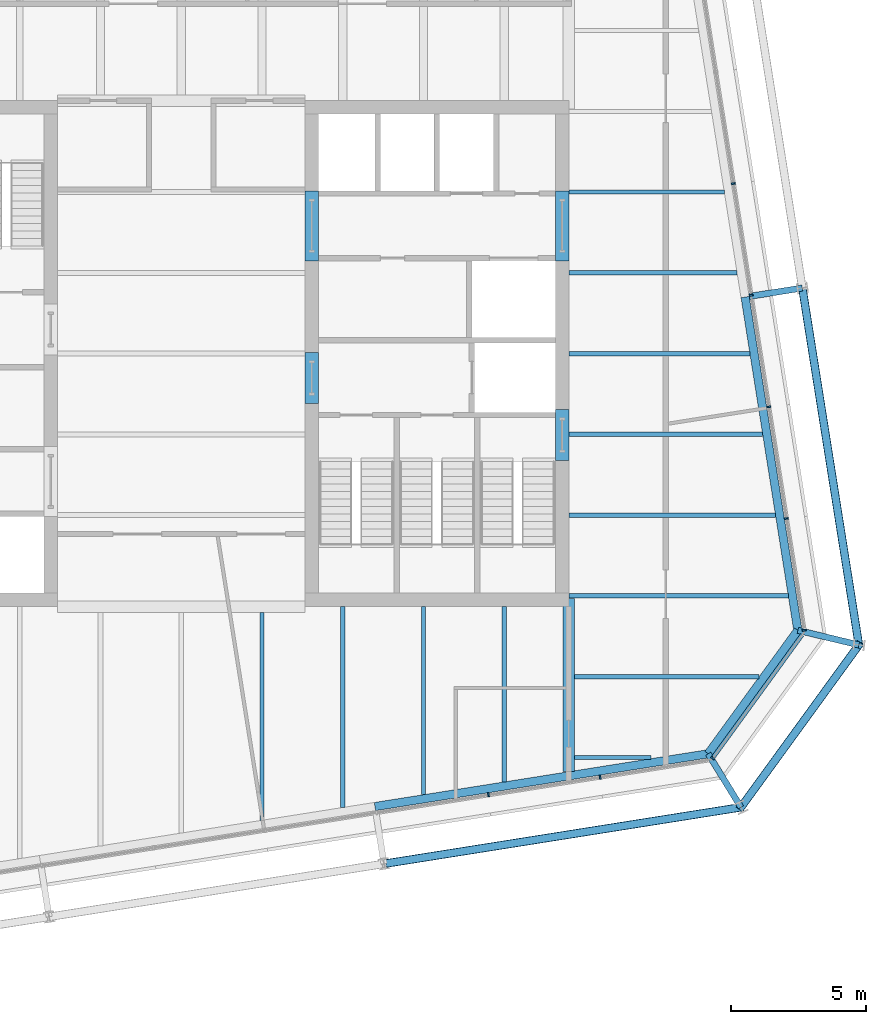
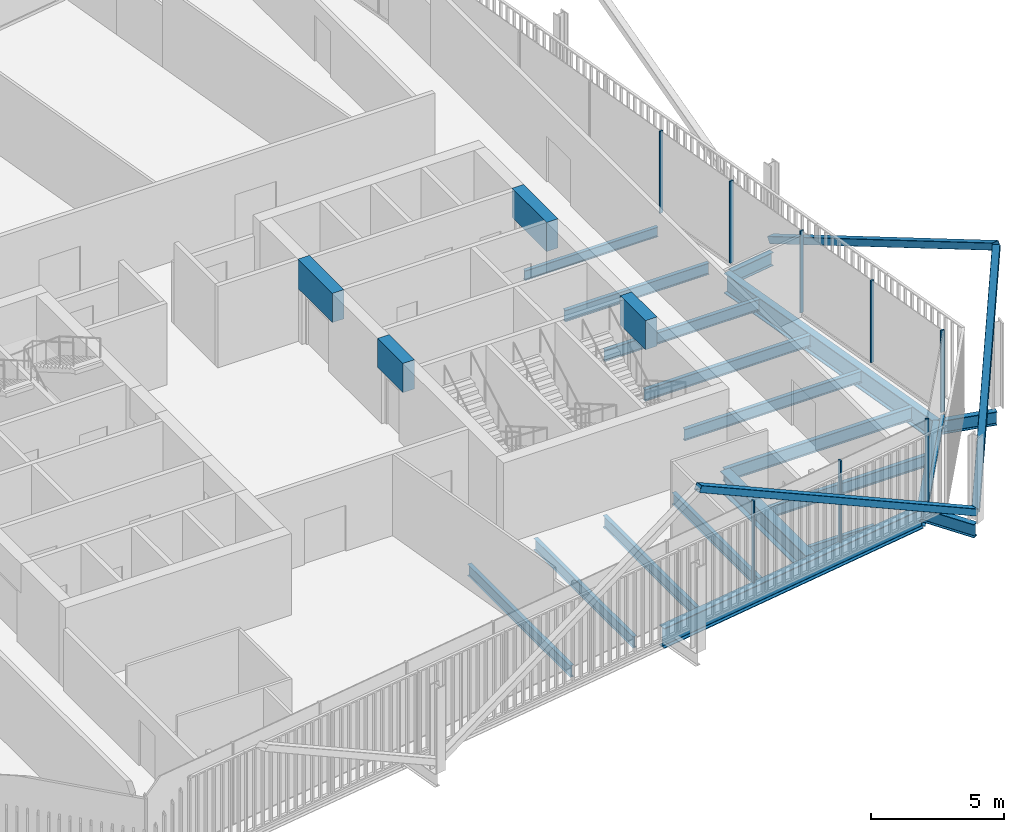
# One storey, part 9 of 21: 23 beams, 12 members, 3 elements without a shape of their own.
"""IFC4 building model written with IfcOpenShell, lengths in metres."""

from ifc_helpers import new_model, si_unit, direction, frame, origin, origin_2d, place, context, subcontext, project, spatial, rectangle, hollow_rectangle, i_section, extrude, material, layer, layer_set, material_profile, profile_set, type_object, element, aggregate, save


model = new_model("IFC4")

# Units and contexts
model_context = context("Model", 3, precision=1e-05, world=origin(), true_north=direction((0.0, 1.0)))
body_context = subcontext(model_context, "Body", "Model", "MODEL_VIEW")
ifc_project = project(units=[si_unit("LENGTHUNIT", "METRE"), si_unit("AREAUNIT", "SQUARE_METRE"), si_unit("VOLUMEUNIT", "CUBIC_METRE"), si_unit("PLANEANGLEUNIT", "RADIAN"), si_unit("MASSUNIT", "GRAM", prefix="KILO")], contexts=[model_context])

# Site, building, storey
site_placement = place(None, origin())
site = spatial("IfcSite", under=ifc_project, at=site_placement, CompositionType="ELEMENT")
building_placement = place(site_placement, origin())
building = spatial("IfcBuilding", under=site, at=building_placement, Name="Millrace Tower", CompositionType="ELEMENT")
storey_placement = place(building_placement, frame((0.0, 0.0, 220.300048828125)))
storey = spatial("IfcBuildingStorey", under=building, at=storey_placement, Name="L50", CompositionType="ELEMENT", Elevation=220.300048828125)

# Curtain wall, members
ifc_material_1 = material(Name="Aluminium and glass", Category="aluminium")
ifc_layer = layer(ifc_material_1, 0.14990234375)
ifc_layer_set = layer_set([ifc_layer], Name="Aluminium and glass")
curtain_wall_type = type_object("IfcCurtainWallType", Name="CW-1 office vision curtain wall", PredefinedType="NOTDEFINED", material=ifc_layer_set)
placement = place(storey_placement, origin())
curtain_wall_1 = element("IfcCurtainWall", 1, at=placement, inside=storey, type_object=curtain_wall_type, Name="Curtain wall D-F02 L50", PredefinedType="NOTDEFINED")
ifc_material_2 = material(Name="Aluminium", Category="aluminium")
ifc_material_profile_1 = material_profile(ifc_material_2, rectangle(XDim=0.06494140625, YDim=0.14990234375, at=origin_2d()))
ifc_profile_set_1 = profile_set([ifc_material_profile_1], Name="Aluminium")
member_type_1 = type_object("IfcMemberType", Name="CW-1 office vision curtain wall mullion", PredefinedType="MULLION", material=ifc_profile_set_1)
member_1_placement = place(storey_placement, frame((11.41259765625, -16.393310546875, 0.139892578125), z_axis=(0.0, 0.0, 1.0), x_axis=(0.987688339511, 0.156434471884, 0.0)))
member_1 = element("IfcMember", 2, at=member_1_placement, type_object=member_type_1, Name="CW1 mullion D-F02.8", PredefinedType="MULLION", context=body_context, shape_type="SweptSolid", body=[
    extrude(rectangle(XDim=0.06494140625, YDim=0.14990234375, at=origin_2d()), origin(), (0.0, 0.0, 1.0), 3.760009765625),
])
member_2_placement = place(storey_placement, frame((15.560791015625, -15.736328125, 0.139892578125), z_axis=(0.0, 0.0, 1.0), x_axis=(0.987688339511, 0.156434471884, 0.0)))
member_2 = element("IfcMember", 3, at=member_2_placement, type_object=member_type_1, Name="CW1 mullion D-F02.9", PredefinedType="MULLION", context=body_context, shape_type="SweptSolid", body=[
    extrude(rectangle(XDim=0.06494140625, YDim=0.14990234375, at=origin_2d()), origin(), (0.0, 0.0, 1.0), 3.760009765625),
])
aggregate(curtain_wall_1, [member_1, member_2])

# Curtain wall, member
curtain_wall_2 = element("IfcCurtainWall", 4, at=placement, inside=storey, type_object=curtain_wall_type, Name="Curtain wall D-F03 L50", PredefinedType="NOTDEFINED")
member_3_placement = place(storey_placement, frame((19.7451171875, -15.028076171875, 0.139892578125), z_axis=(0.0, 0.0, 1.0), x_axis=(0.587785305991, 0.809016955361, 0.0)))
member_3 = element("IfcMember", 5, at=member_3_placement, type_object=member_type_1, Name="CW1 mullion D-F03.1", PredefinedType="MULLION", context=body_context, shape_type="SweptSolid", body=[
    extrude(rectangle(XDim=0.06494140625, YDim=0.14990234375, at=origin_2d()), origin(), (0.0, 0.0, 1.0), 3.760009765625),
])

# Curtain wall, members
curtain_wall_3 = element("IfcCurtainWall", 6, at=placement, inside=storey, type_object=curtain_wall_type, Name="Curtain wall D-F04 L50", PredefinedType="NOTDEFINED")
member_4_placement = place(storey_placement, frame((23.142333984375, -10.275390625, 0.139892578125), z_axis=(0.0, 0.0, 1.0), x_axis=(-0.156434471884, 0.987688339511, 0.0)))
member_4 = element("IfcMember", 7, at=member_4_placement, type_object=member_type_1, Name="CW1 mullion D-F04.1", PredefinedType="MULLION", context=body_context, shape_type="SweptSolid", body=[
    extrude(rectangle(XDim=0.06494140625, YDim=0.14990234375, at=origin_2d()), origin(), (0.0, 0.0, 1.0), 3.760009765625),
])
member_5_placement = place(storey_placement, frame((22.4853515625, -6.127197265625, 0.139892578125), z_axis=(0.0, 0.0, 1.0), x_axis=(-0.156434471884, 0.987688339511, 0.0)))
member_5 = element("IfcMember", 8, at=member_5_placement, type_object=member_type_1, Name="CW1 mullion D-F04.2", PredefinedType="MULLION", context=body_context, shape_type="SweptSolid", body=[
    extrude(rectangle(XDim=0.06494140625, YDim=0.14990234375, at=origin_2d()), origin(), (0.0, 0.0, 1.0), 3.760009765625),
])
member_6_placement = place(storey_placement, frame((21.828369140625, -1.97900390625, 0.139892578125), z_axis=(0.0, 0.0, 1.0), x_axis=(-0.156434471884, 0.987688339511, 0.0)))
member_6 = element("IfcMember", 9, at=member_6_placement, type_object=member_type_1, Name="CW1 mullion D-F04.3", PredefinedType="MULLION", context=body_context, shape_type="SweptSolid", body=[
    extrude(rectangle(XDim=0.06494140625, YDim=0.14990234375, at=origin_2d()), origin(), (0.0, 0.0, 1.0), 3.760009765625),
])
member_7_placement = place(storey_placement, frame((21.17138671875, 2.16943359375, 0.139892578125), z_axis=(0.0, 0.0, 1.0), x_axis=(-0.156434471884, 0.987688339511, 0.0)))
member_7 = element("IfcMember", 10, at=member_7_placement, type_object=member_type_1, Name="CW1 mullion D-F04.4", PredefinedType="MULLION", context=body_context, shape_type="SweptSolid", body=[
    extrude(rectangle(XDim=0.06494140625, YDim=0.14990234375, at=origin_2d()), origin(), (0.0, 0.0, 1.0), 3.760009765625),
])
member_8_placement = place(storey_placement, frame((20.514404296875, 6.317626953125, 0.139892578125), z_axis=(0.0, 0.0, 1.0), x_axis=(-0.156434471884, 0.987688339511, 0.0)))
member_8 = element("IfcMember", 11, at=member_8_placement, type_object=member_type_1, Name="CW1 mullion D-F04.5", PredefinedType="MULLION", context=body_context, shape_type="SweptSolid", body=[
    extrude(rectangle(XDim=0.06494140625, YDim=0.14990234375, at=origin_2d()), origin(), (0.0, 0.0, 1.0), 3.760009765625),
])
aggregate(curtain_wall_3, [member_4, member_5, member_6, member_7, member_8])

# Member
ifc_material_3 = material(Name="Aluminium", Category="aluminium")
ifc_material_profile_2 = material_profile(ifc_material_3, rectangle(XDim=0.14990234375, YDim=0.139892578125, at=origin_2d()))
ifc_profile_set_2 = profile_set([ifc_material_profile_2], Name="Aluminium")
member_type_2 = type_object("IfcMemberType", Name="CW-1 office vision curtain wall transom", PredefinedType="USERDEFINED", material=ifc_profile_set_2)
member_9_placement = place(storey_placement, frame((19.78466796875, -14.973388671875, 0.070068359375), z_axis=(0.587811213399, 0.808998131891, 0.0), x_axis=(-0.808998131891, 0.587811213399, 0.0)))
member_9 = element("IfcMember", 12, at=member_9_placement, type_object=member_type_2, Name="CW1 transom D-F03.1", ObjectType="TRANSOM", PredefinedType="USERDEFINED", context=body_context, shape_type="SweptSolid", body=[
    extrude(rectangle(XDim=0.14990234375, YDim=0.139892578125, at=origin_2d()), origin(), (0.0, 0.0, 1.0), 5.598388671875),
])

aggregate(curtain_wall_2, [member_3, member_9])

# Beams
ifc_material_4 = material(Name="Concrete C60", Category="concrete")
ifc_material_profile_3 = material_profile(ifc_material_4, rectangle(XDim=0.5, YDim=1.340087890625, at=origin_2d()))
ifc_profile_set_3 = profile_set([ifc_material_profile_3], Name="Concrete C60")
beam_type_1 = type_object("IfcBeamType", Name="Coupling beam 500 x 1340 Concrete C60, 1300 opening", PredefinedType="BEAM", material=ifc_profile_set_3)
beam_1_placement = place(storey_placement, frame((14.14990234375, -2.080078125, 3.070068359375), z_axis=(0.0, -1.0, 0.0), x_axis=(1.0, 0.0, 0.0)))
element("IfcBeam", 13, at=beam_1_placement, inside=storey, type_object=beam_type_1, Name="Coupling beam E L50", PredefinedType="BEAM", context=body_context, shape_type="SweptSolid", body=[
    extrude(rectangle(XDim=0.5, YDim=1.340087890625, at=origin_2d()), origin(), (0.0, 0.0, 1.0), 1.89990234375),
])
beam_2_placement = place(storey_placement, frame((4.85009765625, 0.050048828125, 3.070068359375), z_axis=(0.0, -1.0, 0.0), x_axis=(1.0, 0.0, 0.0)))
element("IfcBeam", 14, at=beam_2_placement, inside=storey, type_object=beam_type_1, Name="Coupling beam E L50", PredefinedType="BEAM", context=body_context, shape_type="SweptSolid", body=[
    extrude(rectangle(XDim=0.5, YDim=1.340087890625, at=origin_2d()), origin(), (0.0, 0.0, 1.0), 1.900146484375),
])
ifc_material_5 = material(Name="Concrete C60", Category="concrete")
ifc_material_profile_4 = material_profile(ifc_material_5, rectangle(XDim=0.5, YDim=1.340087890625, at=origin_2d()))
ifc_profile_set_4 = profile_set([ifc_material_profile_4], Name="Concrete C60")
beam_type_2 = type_object("IfcBeamType", Name="Coupling beam 500 x 1340 Concrete C60, 2000 opening", PredefinedType="BEAM", material=ifc_profile_set_4)
for number, where, z_axis, x_axis, name in (
    (15, (14.14990234375, 6.050048828125, 3.070068359375), (0.0, -1.0, 0.0), (1.0, 0.0, 0.0), "Coupling beam E L50"),
    (16, (4.85009765625, 6.050048828125, 3.070068359375), (0.0, -1.0, 0.0), (1.0, 0.0, 0.0), "Coupling beam E L50"),
):
    element("IfcBeam", number, at=place(storey_placement, frame(where, z_axis=z_axis, x_axis=x_axis)), inside=storey, type_object=beam_type_2, Name=name, PredefinedType="BEAM", context=body_context, shape_type="SweptSolid", body=[
        extrude(rectangle(XDim=0.5, YDim=1.340087890625, at=origin_2d()), origin(), (0.0, 0.0, 1.0), 2.60009765625),
    ])

# Members
ifc_material_6 = material(Name="Steel ASTM A500 Grade C", Category="steel")
ifc_material_profile_5 = material_profile(ifc_material_6, hollow_rectangle(XDim=0.3046875, YDim=0.3046875, WallThickness=0.0126953125, InnerFilletRadius=0.00634765625, OuterFilletRadius=0.01904296875, at=origin_2d()))
ifc_profile_set_5 = profile_set([ifc_material_profile_5], Name="Steel ASTM A500 Grade C")
member_type_3 = type_object("IfcMemberType", Name="Exoskeleton brace HSS12x12x1/2", PredefinedType="BRACE", material=ifc_profile_set_5)
member_10_placement = place(storey_placement, frame((20.79638671875, -16.85595703125, 0.39990234375), z_axis=(-0.875833559472, -0.13872819238, 0.462244594065), x_axis=(0.156445228811, -0.987686635721, 0.0)))
element("IfcMember", 17, at=member_10_placement, inside=storey, type_object=member_type_3, Name="BRC-D-L50-04", PredefinedType="BRACE", context=body_context, shape_type="SweptSolid", body=[
    extrude(hollow_rectangle(XDim=0.3046875, YDim=0.3046875, WallThickness=0.0126953125, InnerFilletRadius=0.00634765625, OuterFilletRadius=0.01904296875, at=origin_2d()), origin(), (0.0, 0.0, 1.0), 15.1435546875),
])
member_11_placement = place(storey_placement, frame((20.79638671875, -16.85595703125, 0.39990234375), z_axis=(0.42850795905, 0.589774395252, 0.684504997598), x_axis=(-0.809009310944, 0.587795827483, 0.0)))
element("IfcMember", 18, at=member_11_placement, inside=storey, type_object=member_type_3, Name="BRC-D-L50-05", PredefinedType="BRACE", context=body_context, shape_type="SweptSolid", body=[
    extrude(hollow_rectangle(XDim=0.3046875, YDim=0.3046875, WallThickness=0.0126953125, InnerFilletRadius=0.00634765625, OuterFilletRadius=0.01904296875, at=origin_2d()), origin(), (0.0, 0.0, 1.0), 10.226318359375),
])
member_12_placement = place(storey_placement, frame((23.07763671875, 2.4384765625, 0.39990234375), z_axis=(0.13872819238, -0.875833559472, 0.462244594065), x_axis=(0.987686635721, 0.156445228811, 0.0)))
element("IfcMember", 19, at=member_12_placement, inside=storey, type_object=member_type_3, Name="BRC-D-L50-06", PredefinedType="BRACE", context=body_context, shape_type="SweptSolid", body=[
    extrude(hollow_rectangle(XDim=0.3046875, YDim=0.3046875, WallThickness=0.0126953125, InnerFilletRadius=0.00634765625, OuterFilletRadius=0.01904296875, at=origin_2d()), origin(), (0.0, 0.0, 1.0), 15.1435546875),
])

# Beams
ifc_material_7 = material(Name="Steel ASTM A992 Grade 50", Category="steel")
ifc_material_profile_6 = material_profile(ifc_material_7, i_section(OverallWidth=0.15234375, OverallDepth=0.449462890625, WebThickness=0.007568359375, FlangeThickness=0.0107421875, FilletRadius=0.01025390625, at=origin_2d()))
ifc_profile_set_6 = profile_set([ifc_material_profile_6], Name="Steel ASTM A992 Grade 50")
beam_type_3 = type_object("IfcBeamType", Name="Floor beam W18x35", PredefinedType="JOIST", material=ifc_profile_set_6)
beam_3_placement = place(storey_placement, frame((14.39990234375, 6.0, -0.384765625), z_axis=(1.0, 0.0, 0.0), x_axis=(0.0, 1.0, 0.0)))
element("IfcBeam", 20, at=beam_3_placement, inside=storey, type_object=beam_type_3, Name="BM-D-L50-S1-S022", PredefinedType="JOIST", context=body_context, shape_type="SweptSolid", body=[
    extrude(i_section(OverallWidth=0.15234375, OverallDepth=0.449462890625, WebThickness=0.007568359375, FlangeThickness=0.0107421875, FilletRadius=0.01025390625, at=origin_2d()), origin(), (0.0, 0.0, 1.0), 5.777587890625),
])
beam_4_placement = place(storey_placement, frame((14.609619140625, -15.0, -0.384765625), z_axis=(1.0, 0.0, 0.0), x_axis=(0.0, 1.0, 0.0)))
element("IfcBeam", 21, at=beam_4_placement, inside=storey, type_object=beam_type_3, Name="BM-D-L50-S1-S003", PredefinedType="JOIST", context=body_context, shape_type="SweptSolid", body=[
    extrude(i_section(OverallWidth=0.15234375, OverallDepth=0.449462890625, WebThickness=0.007568359375, FlangeThickness=0.0107421875, FilletRadius=0.01025390625, at=origin_2d()), origin(), (0.0, 0.0, 1.0), 2.839599609375),
])
ifc_material_8 = material(Name="Steel ASTM A992 Grade 50", Category="steel")
ifc_material_profile_7 = material_profile(ifc_material_8, i_section(OverallWidth=0.1650390625, OverallDepth=0.52587890625, WebThickness=0.0087890625, FlangeThickness=0.011474609375, FilletRadius=0.0126953125, at=origin_2d()))
ifc_profile_set_7 = profile_set([ifc_material_profile_7], Name="Steel ASTM A992 Grade 50")
beam_type_4 = type_object("IfcBeamType", Name="Floor beam W21x44", PredefinedType="JOIST", material=ifc_profile_set_7)
beam_5_placement = place(storey_placement, frame((14.609619140625, -12.0, -0.4228515625), z_axis=(1.0, 0.0, 0.0), x_axis=(0.0, 1.0, 0.0)))
element("IfcBeam", 22, at=beam_5_placement, inside=storey, type_object=beam_type_4, Name="BM-D-L50-S1-S005", PredefinedType="JOIST", context=body_context, shape_type="SweptSolid", body=[
    extrude(i_section(OverallWidth=0.1650390625, OverallDepth=0.52587890625, WebThickness=0.0087890625, FlangeThickness=0.011474609375, FilletRadius=0.0126953125, at=origin_2d()), origin(), (0.0, 0.0, 1.0), 6.86279296875),
])
beam_6_placement = place(storey_placement, frame((14.39990234375, -6.0, -0.4228515625), z_axis=(1.0, 0.0, 0.0), x_axis=(0.0, 1.0, 0.0)))
element("IfcBeam", 23, at=beam_6_placement, inside=storey, type_object=beam_type_4, Name="BM-D-L50-S1-S010", PredefinedType="JOIST", context=body_context, shape_type="SweptSolid", body=[
    extrude(i_section(OverallWidth=0.1650390625, OverallDepth=0.52587890625, WebThickness=0.0087890625, FlangeThickness=0.011474609375, FilletRadius=0.0126953125, at=origin_2d()), origin(), (0.0, 0.0, 1.0), 7.67822265625),
])
beam_7_placement = place(storey_placement, frame((14.39990234375, -3.0, -0.4228515625), z_axis=(1.0, 0.0, 0.0), x_axis=(0.0, 1.0, 0.0)))
element("IfcBeam", 24, at=beam_7_placement, inside=storey, type_object=beam_type_4, Name="BM-D-L50-S1-S013", PredefinedType="JOIST", context=body_context, shape_type="SweptSolid", body=[
    extrude(i_section(OverallWidth=0.1650390625, OverallDepth=0.52587890625, WebThickness=0.0087890625, FlangeThickness=0.011474609375, FilletRadius=0.0126953125, at=origin_2d()), origin(), (0.0, 0.0, 1.0), 7.203125),
])
beam_8_placement = place(storey_placement, frame((14.39990234375, 0.0, -0.4228515625), z_axis=(1.0, 0.0, 0.0), x_axis=(0.0, 1.0, 0.0)))
element("IfcBeam", 25, at=beam_8_placement, inside=storey, type_object=beam_type_4, Name="BM-D-L50-S1-S016", PredefinedType="JOIST", context=body_context, shape_type="SweptSolid", body=[
    extrude(i_section(OverallWidth=0.1650390625, OverallDepth=0.52587890625, WebThickness=0.0087890625, FlangeThickness=0.011474609375, FilletRadius=0.0126953125, at=origin_2d()), origin(), (0.0, 0.0, 1.0), 6.72802734375),
])
beam_9_placement = place(storey_placement, frame((14.39990234375, 3.0, -0.4228515625), z_axis=(1.0, 0.0, 0.0), x_axis=(0.0, 1.0, 0.0)))
element("IfcBeam", 26, at=beam_9_placement, inside=storey, type_object=beam_type_4, Name="BM-D-L50-S1-S019", PredefinedType="JOIST", context=body_context, shape_type="SweptSolid", body=[
    extrude(i_section(OverallWidth=0.1650390625, OverallDepth=0.52587890625, WebThickness=0.0087890625, FlangeThickness=0.011474609375, FilletRadius=0.0126953125, at=origin_2d()), origin(), (0.0, 0.0, 1.0), 6.252685546875),
])
beam_10_placement = place(storey_placement, frame((3.0, -17.338623046875, -0.4228515625), z_axis=(0.0, 1.0, 0.0), x_axis=(-1.0, 0.0, 0.0)))
element("IfcBeam", 27, at=beam_10_placement, inside=storey, type_object=beam_type_4, Name="BM-D-L50-S1-S047", PredefinedType="JOIST", context=body_context, shape_type="SweptSolid", body=[
    extrude(i_section(OverallWidth=0.1650390625, OverallDepth=0.52587890625, WebThickness=0.0087890625, FlangeThickness=0.011474609375, FilletRadius=0.0126953125, at=origin_2d()), origin(), (0.0, 0.0, 1.0), 7.72900390625),
])
beam_11_placement = place(storey_placement, frame((6.0, -16.863525390625, -0.4228515625), z_axis=(0.0, 1.0, 0.0), x_axis=(-1.0, 0.0, 0.0)))
element("IfcBeam", 28, at=beam_11_placement, inside=storey, type_object=beam_type_4, Name="BM-D-L50-S1-S049", PredefinedType="JOIST", context=body_context, shape_type="SweptSolid", body=[
    extrude(i_section(OverallWidth=0.1650390625, OverallDepth=0.52587890625, WebThickness=0.0087890625, FlangeThickness=0.011474609375, FilletRadius=0.0126953125, at=origin_2d()), origin(), (0.0, 0.0, 1.0), 7.463623046875),
])
beam_12_placement = place(storey_placement, frame((9.0, -16.38818359375, -0.4228515625), z_axis=(0.0, 1.0, 0.0), x_axis=(-1.0, 0.0, 0.0)))
element("IfcBeam", 29, at=beam_12_placement, inside=storey, type_object=beam_type_4, Name="BM-D-L50-S1-S051", PredefinedType="JOIST", context=body_context, shape_type="SweptSolid", body=[
    extrude(i_section(OverallWidth=0.1650390625, OverallDepth=0.52587890625, WebThickness=0.0087890625, FlangeThickness=0.011474609375, FilletRadius=0.0126953125, at=origin_2d()), origin(), (0.0, 0.0, 1.0), 6.98828125),
])
beam_13_placement = place(storey_placement, frame((12.0, -15.9130859375, -0.4228515625), z_axis=(0.0, 1.0, 0.0), x_axis=(-1.0, 0.0, 0.0)))
element("IfcBeam", 30, at=beam_13_placement, inside=storey, type_object=beam_type_4, Name="BM-D-L50-S1-S053", PredefinedType="JOIST", context=body_context, shape_type="SweptSolid", body=[
    extrude(i_section(OverallWidth=0.1650390625, OverallDepth=0.52587890625, WebThickness=0.0087890625, FlangeThickness=0.011474609375, FilletRadius=0.0126953125, at=origin_2d()), origin(), (0.0, 0.0, 1.0), 6.51318359375),
])
ifc_material_9 = material(Name="Steel ASTM A992 Grade 50", Category="steel")
ifc_material_profile_8 = material_profile(ifc_material_9, i_section(OverallWidth=0.177978515625, OverallDepth=0.599365234375, WebThickness=0.010009765625, FlangeThickness=0.012939453125, FilletRadius=0.012939453125, at=origin_2d()))
ifc_profile_set_8 = profile_set([ifc_material_profile_8], Name="Steel ASTM A992 Grade 50")
beam_type_5 = type_object("IfcBeamType", Name="Floor beam W24x55", PredefinedType="JOIST", material=ifc_profile_set_8)
beam_14_placement = place(storey_placement, frame((14.39990234375, -9.0, -0.459716796875), z_axis=(1.0, 0.0, 0.0), x_axis=(0.0, 1.0, 0.0)))
element("IfcBeam", 31, at=beam_14_placement, inside=storey, type_object=beam_type_5, Name="BM-D-L50-S1-S007", PredefinedType="JOIST", context=body_context, shape_type="SweptSolid", body=[
    extrude(i_section(OverallWidth=0.177978515625, OverallDepth=0.599365234375, WebThickness=0.010009765625, FlangeThickness=0.012939453125, FilletRadius=0.012939453125, at=origin_2d()), origin(), (0.0, 0.0, 1.0), 8.1533203125),
])
ifc_material_10 = material(Name="Steel ASTM A992 Grade 50", Category="steel")
ifc_material_profile_9 = material_profile(ifc_material_10, i_section(OverallWidth=0.419189453125, OverallDepth=0.927001953125, WebThickness=0.019287109375, FlangeThickness=0.031982421875, FilletRadius=0.024169921875, at=origin_2d()))
ifc_profile_set_9 = profile_set([ifc_material_profile_9], Name="Steel ASTM A992 Grade 50")
beam_type_6 = type_object("IfcBeamType", Name="Girder short span W36x231", PredefinedType="BEAM", material=ifc_profile_set_9)
beam_15_placement = place(storey_placement, frame((14.39990234375, -15.52490234375, -0.62353515625), z_axis=(0.0, 1.0, 0.0), x_axis=(-1.0, 0.0, 0.0)))
element("IfcBeam", 32, at=beam_15_placement, inside=storey, type_object=beam_type_6, Name="BM-D-L50-S1-G057", PredefinedType="BEAM", context=body_context, shape_type="SweptSolid", body=[
    extrude(i_section(OverallWidth=0.419189453125, OverallDepth=0.927001953125, WebThickness=0.019287109375, FlangeThickness=0.031982421875, FilletRadius=0.024169921875, at=origin_2d()), origin(), (0.0, 0.0, 1.0), 6.432861328125),
])
ifc_material_11 = material(Name="Steel ASTM A992 Grade 50", Category="steel")
ifc_material_profile_10 = material_profile(ifc_material_11, i_section(OverallWidth=0.23046875, OverallDepth=0.6171875, WebThickness=0.01318359375, FlangeThickness=0.022216796875, FilletRadius=0.012939453125, at=origin_2d()))
ifc_profile_set_10 = profile_set([ifc_material_profile_10], Name="Steel ASTM A992 Grade 50")
beam_type_7 = type_object("IfcBeamType", Name="Link beam W24x94", PredefinedType="BEAM", material=ifc_profile_set_10)
beam_16_placement = place(storey_placement, frame((21.102294921875, 2.12548828125, -0.46875), z_axis=(0.987678691416, 0.156495375404, 0.0), x_axis=(-0.156495375404, 0.987678691416, 0.0)))
element("IfcBeam", 33, at=beam_16_placement, inside=storey, type_object=beam_type_7, Name="LNK-D-L50-S1-11", PredefinedType="BEAM", context=body_context, shape_type="SweptSolid", body=[
    extrude(i_section(OverallWidth=0.23046875, OverallDepth=0.6171875, WebThickness=0.01318359375, FlangeThickness=0.022216796875, FilletRadius=0.012939453125, at=origin_2d()), origin(), (0.0, 0.0, 1.0), 2.0),
])
beam_17_placement = place(storey_placement, frame((22.91162109375, -10.280517578125, -0.46875), z_axis=(0.972373041068, -0.233432364948, 0.0), x_axis=(0.233432364948, 0.972373041068, 0.0)))
element("IfcBeam", 34, at=beam_17_placement, inside=storey, type_object=beam_type_7, Name="LNK-D-L50-S1-12", PredefinedType="BEAM", context=body_context, shape_type="SweptSolid", body=[
    extrude(i_section(OverallWidth=0.23046875, OverallDepth=0.6171875, WebThickness=0.01318359375, FlangeThickness=0.022216796875, FilletRadius=0.012939453125, at=origin_2d()), origin(), (0.0, 0.0, 1.0), 2.331298828125),
])
beam_18_placement = place(storey_placement, frame((19.578369140625, -14.868408203125, -0.46875), z_axis=(0.522512938711, -0.852631355792, 0.0), x_axis=(0.852631355792, 0.522512938711, 0.0)))
element("IfcBeam", 35, at=beam_18_placement, inside=storey, type_object=beam_type_7, Name="LNK-D-L50-S1-13", PredefinedType="BEAM", context=body_context, shape_type="SweptSolid", body=[
    extrude(i_section(OverallWidth=0.23046875, OverallDepth=0.6171875, WebThickness=0.01318359375, FlangeThickness=0.022216796875, FilletRadius=0.012939453125, at=origin_2d()), origin(), (0.0, 0.0, 1.0), 2.3310546875),
])
ifc_material_12 = material(Name="Steel ASTM A992 Grade 50", Category="steel")
ifc_material_profile_11 = material_profile(ifc_material_12, i_section(OverallWidth=0.307373046875, OverallDepth=0.927001953125, WebThickness=0.01953125, FlangeThickness=0.031982421875, FilletRadius=0.01904296875, at=origin_2d()))
ifc_profile_set_11 = profile_set([ifc_material_profile_11], Name="Steel ASTM A992 Grade 50")
beam_type_8 = type_object("IfcBeamType", Name="Ring beam medium span W36x194", PredefinedType="SPANDREL", material=ifc_profile_set_11)
for number, where, z_axis, x_axis, name in (
    (36, (20.95068359375, 2.1015625, -0.62353515625), (0.156419577072, -0.987690698503, 0.0), (0.987690698503, 0.156419577072, 0.0), "RNG-D-L50-S1-11"),
    (37, (19.578369140625, -14.868408203125, -0.62353515625), (-0.987687689625, -0.156438575049, 0.0), (0.156438575049, -0.987687689625, 0.0), "RNG-D-L50-S1-13"),
):
    element("IfcBeam", number, at=place(storey_placement, frame(where, z_axis=z_axis, x_axis=x_axis)), inside=storey, type_object=beam_type_8, Name=name, PredefinedType="SPANDREL", context=body_context, shape_type="SweptSolid", body=[
        extrude(i_section(OverallWidth=0.307373046875, OverallDepth=0.927001953125, WebThickness=0.01953125, FlangeThickness=0.031982421875, FilletRadius=0.01904296875, at=origin_2d()), origin(), (0.0, 0.0, 1.0), 12.536376953125),
    ])
ifc_material_13 = material(Name="Steel ASTM A992 Grade 50", Category="steel")
ifc_material_profile_12 = material_profile(ifc_material_13, i_section(OverallWidth=0.307373046875, OverallDepth=0.927001953125, WebThickness=0.01953125, FlangeThickness=0.031982421875, FilletRadius=0.01904296875, at=origin_2d()))
ifc_profile_set_12 = profile_set([ifc_material_profile_12], Name="Steel ASTM A992 Grade 50")
beam_type_9 = type_object("IfcBeamType", Name="Ring beam short span W36x194", PredefinedType="SPANDREL", material=ifc_profile_set_12)
beam_19_placement = place(storey_placement, frame((22.91162109375, -10.280517578125, -0.62353515625), z_axis=(-0.587779977844, -0.80902082646, 0.0), x_axis=(0.80902082646, -0.587779977844, 0.0)))
element("IfcBeam", 38, at=beam_19_placement, inside=storey, type_object=beam_type_9, Name="RNG-D-L50-S1-12", PredefinedType="SPANDREL", context=body_context, shape_type="SweptSolid", body=[
    extrude(i_section(OverallWidth=0.307373046875, OverallDepth=0.927001953125, WebThickness=0.01953125, FlangeThickness=0.031982421875, FilletRadius=0.01904296875, at=origin_2d()), origin(), (0.0, 0.0, 1.0), 5.6708984375),
])

save(model, "model.ifc")
